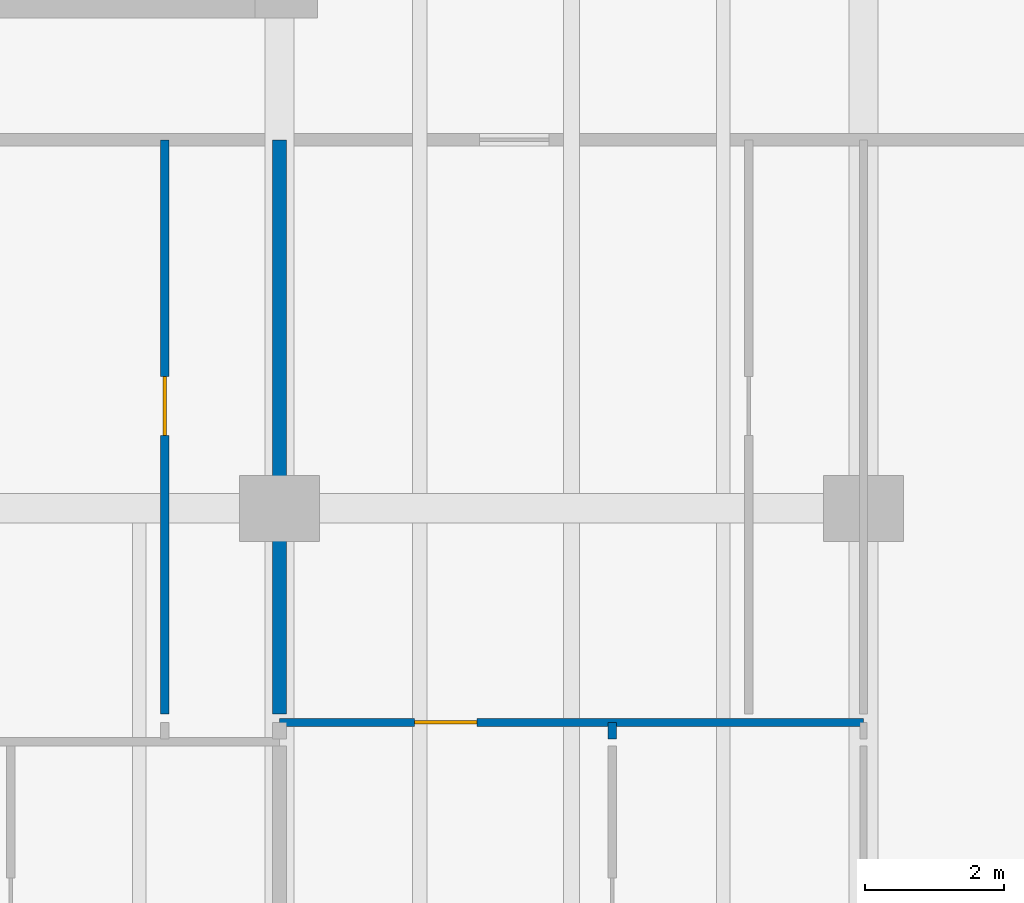
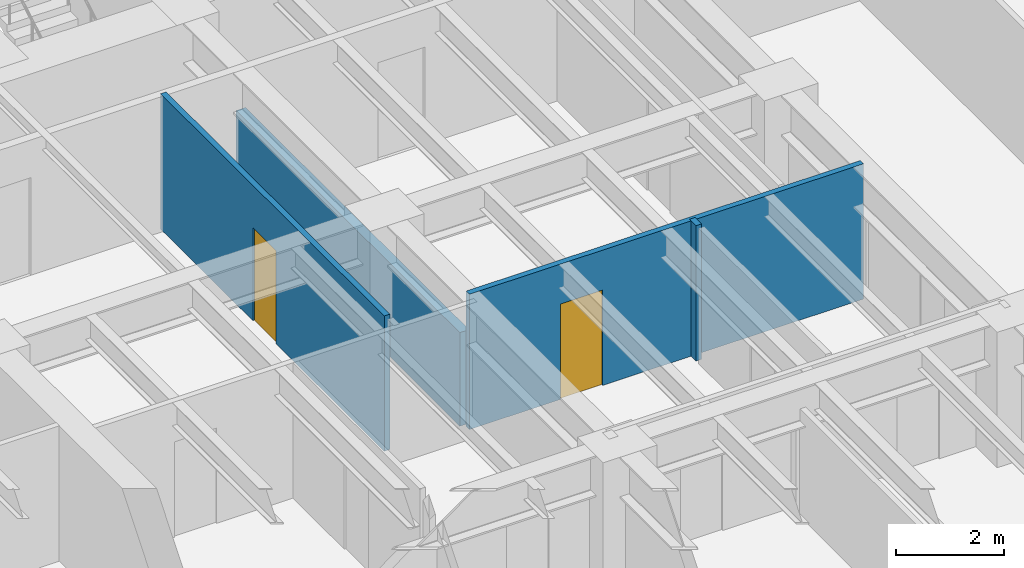
# One storey, part 10 of 19: 4 walls, 2 doors, 2 openings.
"""IFC4 building model written with IfcOpenShell, lengths in metres."""

from ifc_helpers import new_model, si_unit, direction, frame, frame_2d, origin, place, context, subcontext, project, spatial, rectangle, extrude, material, layer, layer_set, type_object, element, fill, save


model = new_model("IFC4")

# Units and contexts
model_context = context("Model", 3, precision=1e-05, world=origin(), true_north=direction((0.0, 1.0)))
body_context = subcontext(model_context, "Body", "Model", "MODEL_VIEW")
ifc_project = project(units=[si_unit("LENGTHUNIT", "METRE"), si_unit("AREAUNIT", "SQUARE_METRE"), si_unit("VOLUMEUNIT", "CUBIC_METRE"), si_unit("PLANEANGLEUNIT", "RADIAN"), si_unit("MASSUNIT", "GRAM", prefix="KILO")], contexts=[model_context])

# Site, building, storey
site_placement = place(None, origin())
site = spatial("IfcSite", under=ifc_project, at=site_placement, CompositionType="ELEMENT")
building_placement = place(site_placement, origin())
building = spatial("IfcBuilding", under=site, at=building_placement, Name="Caelmar Bay Residences", CompositionType="ELEMENT")
storey_placement = place(building_placement, frame((0.0, 0.0, 66.300048828125)))
storey = spatial("IfcBuildingStorey", under=building, at=storey_placement, Name="L17", CompositionType="ELEMENT", Elevation=66.300048828125)

# Wall, opening, door
ifc_material_1 = material(Name="Acoustic metal-stud gypsum partition 120 mm")
ifc_layer_1 = layer(ifc_material_1, 0.1201171875)
ifc_layer_set_1 = layer_set([ifc_layer_1], Name="Acoustic metal-stud gypsum partition 120 mm")
wall_type_1 = type_object("IfcWallType", Name="W-PRT-120", PredefinedType="PARTITIONING", material=ifc_layer_set_1)
wall_1_placement = place(storey_placement, frame((57.85009765625, 26.43994140625, 0.0), z_axis=(0.0, 0.0, 1.0), x_axis=(0.0, 1.0, 0.0)))
wall_1 = element("IfcWall", 1, at=wall_1_placement, inside=storey, type_object=wall_type_1, Name="L17 Partition Wall V093", PredefinedType="PARTITIONING", context=body_context, shape_type="SweptSolid", body=[
    extrude(rectangle(XDim=8.260009765625, YDim=0.1201171875, at=frame_2d((4.1298828125, 0.0))), origin(), (0.0, 0.0, 1.0), 3.050048828125),
])
opening_1_placement = place(wall_1_placement, frame((4.0048828125, 0.0, 0.0)))
opening_1 = element("IfcOpeningElement", 2, at=opening_1_placement, cuts=wall_1, Name="Opening D-L17-160", PredefinedType="OPENING", context=body_context, shape_type="SweptSolid", body=[
    extrude(rectangle(XDim=0.85009765625, YDim=2.10009765625, at=frame_2d((0.425048828125, 1.050048828125))), frame((0.0, 0.070068359375, 0.0), z_axis=(0.0, -1.0, 0.0), x_axis=(1.0, 0.0, 0.0)), (0.0, 0.0, 1.0), 0.14013671875),
])
ifc_material_2 = material(Name="Solid walnut timber interior door leaf and frame", Category="wood")
ifc_layer_2 = layer(ifc_material_2, 0.050048828125)
ifc_layer_set_2 = layer_set([ifc_layer_2], Name="Solid walnut timber interior door leaf and frame")
door_type_1 = type_object("IfcDoorType", Name="D-BATH-850", OperationType="NOTDEFINED", PredefinedType="DOOR", material=ifc_layer_set_2)
door_1_placement = place(opening_1_placement, origin())
door_1 = element("IfcDoor", 3, at=door_1_placement, inside=storey, type_object=door_type_1, Name="L17 Residence 06 Bathroom Door", OperationType="SINGLE_SWING_LEFT", OverallHeight=2.10009765625, OverallWidth=0.85009765625, PredefinedType="DOOR", context=body_context, shape_type="SweptSolid", body=[
    extrude(rectangle(XDim=0.85009765625, YDim=2.10009765625, at=frame_2d((0.425048828125, 1.050048828125))), frame((0.0, 0.02490234375, 0.0), z_axis=(0.0, -1.0, 0.0), x_axis=(1.0, 0.0, 0.0)), (0.0, 0.0, 1.0), 0.050048828125),
])
fill(opening_1, door_1)

# Wall
wall_2_placement = place(storey_placement, frame((64.285888671875, 26.080078125, 0.0), z_axis=(0.0, 0.0, 1.0), x_axis=(0.0, 1.0, 0.0)))
element("IfcWall", 4, at=wall_2_placement, inside=storey, type_object=wall_type_1, Name="L17 Partition Wall V105", PredefinedType="PARTITIONING", context=body_context, shape_type="SweptSolid", body=[
    extrude(rectangle(XDim=0.239990234375, YDim=0.1201171875, at=frame_2d((0.1201171875, 0.0))), origin(), (0.0, 0.0, 1.0), 3.050048828125),
])

# Wall, opening, door
wall_3_placement = place(storey_placement, frame((59.5, 26.320068359375, 0.0), z_axis=(0.0, 0.0, 1.0), x_axis=(1.0, 0.0, 0.0)))
wall_3 = element("IfcWall", 5, at=wall_3_placement, inside=storey, type_object=wall_type_1, Name="L17 Partition Wall H139", PredefinedType="PARTITIONING", context=body_context, shape_type="SweptSolid", body=[
    extrude(rectangle(XDim=8.39990234375, YDim=0.1201171875, at=frame_2d((4.199951171875, 0.0))), origin(), (0.0, 0.0, 1.0), 3.050048828125),
])
opening_2_placement = place(wall_3_placement, frame((1.943115234375, 0.0, 0.0)))
opening_2 = element("IfcOpeningElement", 6, at=opening_2_placement, cuts=wall_3, Name="Opening D-L17-168", PredefinedType="OPENING", context=body_context, shape_type="SweptSolid", body=[
    extrude(rectangle(XDim=0.89990234375, YDim=2.14990234375, at=frame_2d((0.449951171875, 1.074951171875))), frame((0.0, 0.070068359375, 0.0), z_axis=(0.0, -1.0, 0.0), x_axis=(1.0, 0.0, 0.0)), (0.0, 0.0, 1.0), 0.14013671875),
])
ifc_layer_3 = layer(ifc_material_2, 0.050048828125)
ifc_layer_set_3 = layer_set([ifc_layer_3], Name="Solid walnut timber interior door leaf and frame")
door_type_2 = type_object("IfcDoorType", Name="D-ROOM-900", OperationType="NOTDEFINED", PredefinedType="DOOR", material=ifc_layer_set_3)
door_2_placement = place(opening_2_placement, origin())
door_2 = element("IfcDoor", 7, at=door_2_placement, inside=storey, type_object=door_type_2, Name="L17 Residence 07 Kitchen Door", OperationType="SINGLE_SWING_LEFT", OverallHeight=2.14990234375, OverallWidth=0.89990234375, PredefinedType="DOOR", context=body_context, shape_type="SweptSolid", body=[
    extrude(rectangle(XDim=0.89990234375, YDim=2.14990234375, at=frame_2d((0.449951171875, 1.074951171875))), frame((0.0, 0.02490234375, 0.0), z_axis=(0.0, -1.0, 0.0), x_axis=(1.0, 0.0, 0.0)), (0.0, 0.0, 1.0), 0.050048828125),
])
fill(opening_2, door_2)

# Wall
ifc_material_3 = material(Name="Acoustic twin-stud fire-rated inter-tenancy partition 200 mm")
ifc_layer_4 = layer(ifc_material_3, 0.199951171875)
ifc_layer_set_4 = layer_set([ifc_layer_4], Name="Acoustic twin-stud fire-rated inter-tenancy partition 200 mm")
wall_type_2 = type_object("IfcWallType", Name="W-PTY-200", PredefinedType="PARTITIONING", material=ifc_layer_set_4)
wall_4_placement = place(storey_placement, frame((59.5, 26.43994140625, 0.0), z_axis=(0.0, 0.0, 1.0), x_axis=(0.0, 1.0, 0.0)))
element("IfcWall", 8, at=wall_4_placement, inside=storey, type_object=wall_type_2, Name="L17 Partition Wall V099", PredefinedType="PARTITIONING", context=body_context, shape_type="SweptSolid", body=[
    extrude(rectangle(XDim=8.260009765625, YDim=0.199951171875, at=frame_2d((4.1298828125, 0.0))), origin(), (0.0, 0.0, 1.0), 2.10986328125),
])

save(model, "model.ifc")
